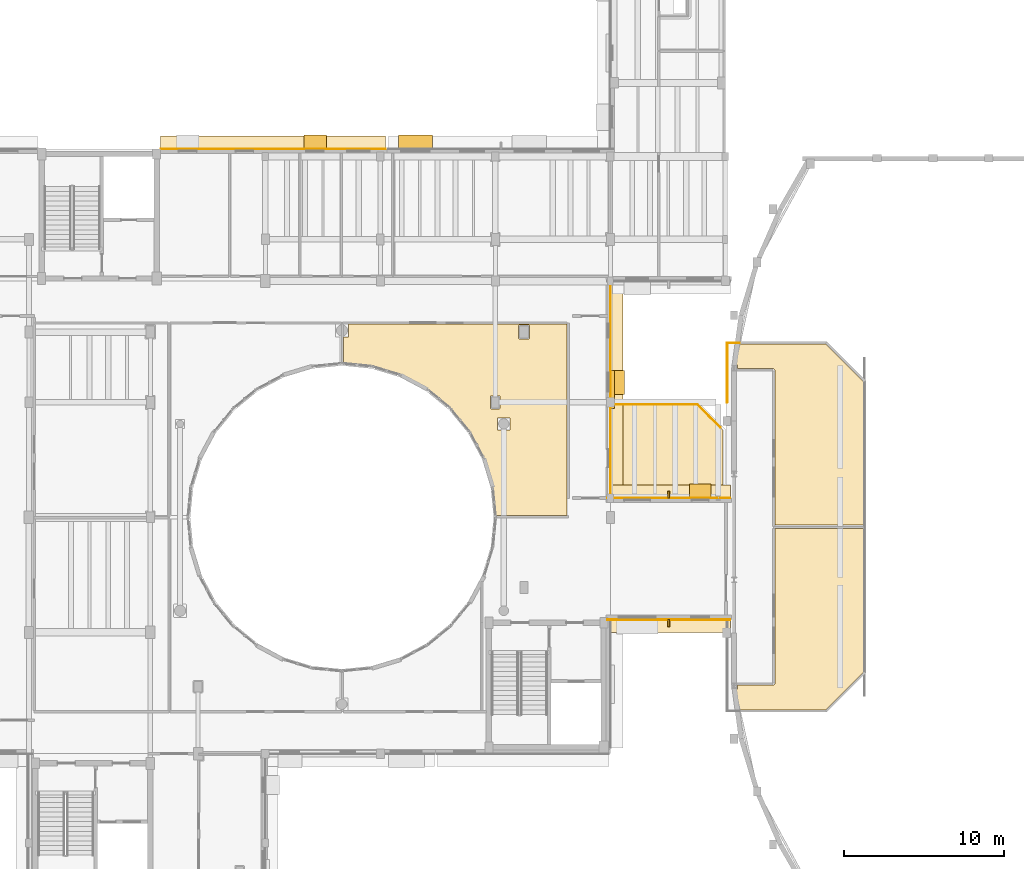
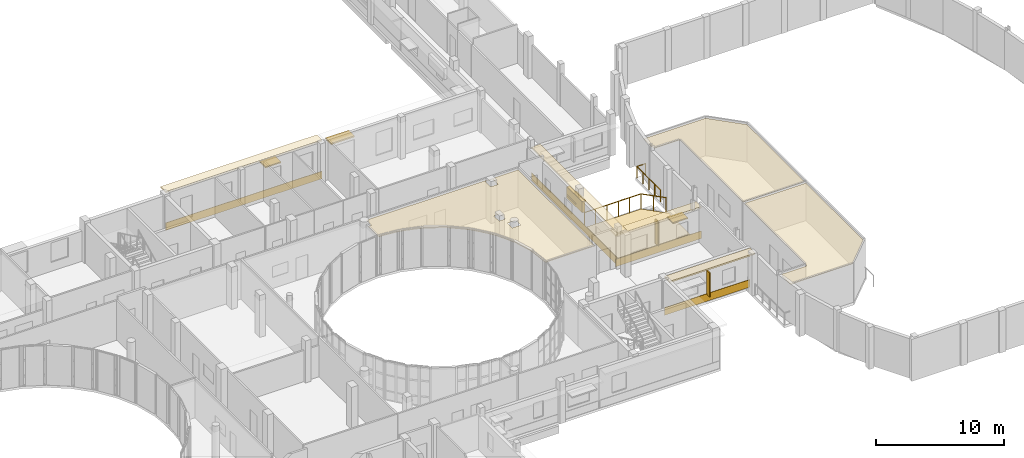
# One storey, part 87 of 92: 12 coverings, 7 shading devices, 2 railings.
"""IFC4 building model written with IfcOpenShell, lengths in metres."""

from ifc_helpers import new_model, si_unit, direction, frame, origin, origin_2d, place, context, subcontext, project, spatial, polyline, rectangle, circle, outline, extrude, material, layer, layer_set, type_object, element, save


model = new_model("IFC4")

# Units and contexts
model_context = context("Model", 3, precision=1e-05, world=origin(), true_north=direction((0.0, 1.0)))
body_context = subcontext(model_context, "Body", "Model", "MODEL_VIEW")
ifc_project = project(units=[si_unit("LENGTHUNIT", "METRE"), si_unit("AREAUNIT", "SQUARE_METRE"), si_unit("VOLUMEUNIT", "CUBIC_METRE"), si_unit("PLANEANGLEUNIT", "RADIAN"), si_unit("MASSUNIT", "GRAM", prefix="KILO")], contexts=[model_context])

# Site, building, storey
site_placement = place(None, origin())
site = spatial("IfcSite", under=ifc_project, at=site_placement, CompositionType="ELEMENT")
building_placement = place(site_placement, origin())
building = spatial("IfcBuilding", under=site, at=building_placement, Name="Kelanivale Promenade Academy", CompositionType="ELEMENT")
storey_placement = place(building_placement, frame((0.0, 0.0, 8.199951171875)))
storey = spatial("IfcBuildingStorey", under=building, at=storey_placement, Name="L02", CompositionType="ELEMENT", Elevation=8.199951171875)

# Coverings
ifc_material_1 = material(Name="Warm ivory Art Deco stucco frieze band 40 mm", Category="masonry")
ifc_layer_1 = layer(ifc_material_1, 0.0400390625)
ifc_layer_set_1 = layer_set([ifc_layer_1], Name="Warm ivory Art Deco stucco frieze band 40 mm")
covering_type_1 = type_object("IfcCoveringType", Name="COV-CLD2 Warm ivory Art Deco stucco frieze ba", PredefinedType="CLADDING", material=ifc_layer_set_1)
covering_1_placement = place(storey_placement, frame((119.260009765625, 50.0, 3.6201171875), z_axis=(0.0, 0.0, 1.0), x_axis=(1.0, 0.0, 0.0)))
element("IfcCovering", 1, at=covering_1_placement, inside=storey, type_object=covering_type_1, Name="Art Deco projecting 820 mm streamline sunshade eyebrow ledge", PredefinedType="CLADDING", context=body_context, shape_type="SweptSolid", body=[
    extrude(rectangle(XDim=7.719970703125, YDim=0.820068359375, at=origin_2d()), origin(), (0.0, 0.0, 1.0), 0.139892578125),
])
covering_2_placement = place(storey_placement, frame((119.260009765625, 50.385009765625, 0.06005859375), z_axis=(0.0, 0.0, 1.0), x_axis=(1.0, 0.0, 0.0)))
element("IfcCovering", 2, at=covering_2_placement, inside=storey, type_object=covering_type_1, Name="Art Deco ivory stucco sill frieze band", PredefinedType="CLADDING", context=body_context, shape_type="SweptSolid", body=[
    extrude(rectangle(XDim=7.719970703125, YDim=0.0400390625, at=origin_2d()), origin(), (0.0, 0.0, 1.0), 0.719970703125),
])
covering_3_placement = place(storey_placement, frame((119.260009765625, 58.39990234375, 2.9501953125), z_axis=(0.0, 0.0, 1.0), x_axis=(-1.0, 0.0, 0.0)))
element("IfcCovering", 3, at=covering_3_placement, inside=storey, type_object=covering_type_1, Name="Art Deco projecting 820 mm streamline sunshade eyebrow ledge", PredefinedType="CLADDING", context=body_context, shape_type="SweptSolid", body=[
    extrude(rectangle(XDim=7.719970703125, YDim=0.820068359375, at=origin_2d()), origin(), (0.0, 0.0, 1.0), 0.139892578125),
])
covering_4_placement = place(storey_placement, frame((119.260009765625, 58.014892578125, 0.06005859375), z_axis=(0.0, 0.0, 1.0), x_axis=(-1.0, 0.0, 0.0)))
element("IfcCovering", 4, at=covering_4_placement, inside=storey, type_object=covering_type_1, Name="Art Deco ivory stucco sill frieze band", PredefinedType="CLADDING", context=body_context, shape_type="SweptSolid", body=[
    extrude(rectangle(XDim=7.719970703125, YDim=0.0400390625, at=origin_2d()), origin(), (0.0, 0.0, 1.0), 0.719970703125),
])
covering_5_placement = place(storey_placement, frame((116.0, 64.800048828125, 3.06494140625), z_axis=(0.0, 0.0, 1.0), x_axis=(0.0, 1.0, 0.0)))
element("IfcCovering", 5, at=covering_5_placement, inside=storey, type_object=covering_type_1, Name="Art Deco projecting 820 mm streamline sunshade eyebrow ledge", PredefinedType="CLADDING", context=body_context, shape_type="SweptSolid", body=[
    extrude(rectangle(XDim=13.43994140625, YDim=0.820068359375, at=origin_2d()), origin(), (0.0, 0.0, 1.0), 0.139892578125),
])
covering_6_placement = place(storey_placement, frame((115.614990234375, 64.800048828125, 0.06005859375), z_axis=(0.0, 0.0, 1.0), x_axis=(0.0, 1.0, 0.0)))
element("IfcCovering", 6, at=covering_6_placement, inside=storey, type_object=covering_type_1, Name="Art Deco ivory stucco sill frieze band", PredefinedType="CLADDING", context=body_context, shape_type="SweptSolid", body=[
    extrude(rectangle(XDim=13.43994140625, YDim=0.0400390625, at=origin_2d()), origin(), (0.0, 0.0, 1.0), 0.719970703125),
])
covering_7_placement = place(storey_placement, frame((94.493896484375, 80.25, 3.6201171875), z_axis=(0.0, 0.0, 1.0), x_axis=(-1.0, 0.0, 0.0)))
element("IfcCovering", 7, at=covering_7_placement, inside=storey, type_object=covering_type_1, Name="Art Deco projecting 820 mm streamline sunshade eyebrow ledge", PredefinedType="CLADDING", context=body_context, shape_type="SweptSolid", body=[
    extrude(rectangle(XDim=14.097900390625, YDim=0.820068359375, at=origin_2d()), origin(), (0.0, 0.0, 1.0), 0.139892578125),
])
covering_8_placement = place(storey_placement, frame((94.493896484375, 79.864990234375, 0.06005859375), z_axis=(0.0, 0.0, 1.0), x_axis=(-1.0, 0.0, 0.0)))
element("IfcCovering", 8, at=covering_8_placement, inside=storey, type_object=covering_type_1, Name="Art Deco ivory stucco sill frieze band", PredefinedType="CLADDING", context=body_context, shape_type="SweptSolid", body=[
    extrude(rectangle(XDim=14.097900390625, YDim=0.0400390625, at=origin_2d()), origin(), (0.0, 0.0, 1.0), 0.719970703125),
])
ifc_material_2 = material(Name="Acoustic mineral-fibre ceiling tile 25 mm", Category="gypsum")
ifc_layer_2 = layer(ifc_material_2, 0.02490234375)
ifc_layer_set_2 = layer_set([ifc_layer_2], Name="Acoustic mineral-fibre ceiling tile 25 mm")
covering_type_2 = type_object("IfcCoveringType", Name="COV-CLG1 Acoustic mineral-fibre ceiling tile ", PredefinedType="CEILING", material=ifc_layer_set_2)
covering_9_placement = place(storey_placement, frame((0.0, 0.0, 3.550048828125)))
element("IfcCovering", 9, at=covering_9_placement, inside=storey, type_object=covering_type_2, Name="Choral Rehearsal Studio acoustic suspended ceiling", PredefinedType="CEILING", context=body_context, shape_type="SweptSolid", body=[
    extrude(outline(polyline([(131.449951171875, 47.112060546875), (131.449951171875, 56.090087890625), (125.909912109375, 56.090087890625), (125.909912109375, 46.424072265625), (125.909912109375, 46.4169921875), (125.908935546875, 46.410888671875), (125.907958984375, 46.405029296875), (125.906005859375, 46.39599609375), (125.903076171875, 46.387939453125), (125.902099609375, 46.385009765625), (125.90087890625, 46.382080078125), (125.89892578125, 46.376953125), (125.89697265625, 46.3720703125), (125.89501953125, 46.365966796875), (125.89208984375, 46.361083984375), (125.888916015625, 46.35595703125), (125.882080078125, 46.346923828125), (125.8779296875, 46.342041015625), (125.873046875, 46.3349609375), (125.868896484375, 46.3310546875), (125.864990234375, 46.326904296875), (125.85791015625, 46.322021484375), (125.85302734375, 46.318115234375), (125.843994140625, 46.31103515625), (125.839111328125, 46.30810546875), (125.833984375, 46.304931640625), (125.827880859375, 46.302978515625), (125.822998046875, 46.301025390625), (125.818115234375, 46.299072265625), (125.81494140625, 46.298095703125), (125.81201171875, 46.297119140625), (125.803955078125, 46.2939453125), (125.794921875, 46.2919921875), (125.7890625, 46.291015625), (125.782958984375, 46.2900390625), (125.77587890625, 46.2900390625), (123.56396484375, 46.2900390625), (123.56396484375, 46.080078125), (123.56396484375, 46.075927734375), (123.56298828125, 46.072021484375), (123.56201171875, 46.068115234375), (123.56103515625, 46.06396484375), (123.55908203125, 46.06103515625), (123.556884765625, 46.05810546875), (123.554931640625, 46.053955078125), (123.552001953125, 46.051025390625), (123.549072265625, 46.049072265625), (123.5458984375, 46.0458984375), (123.54296875, 46.0439453125), (123.5390625, 46.04296875), (123.534912109375, 46.041015625), (123.531982421875, 46.041015625), (123.528076171875, 46.0400390625), (123.52392578125, 46.0400390625), (123.510009765625, 46.0400390625), (123.510009765625, 44.75), (129.087890625, 44.75), (131.449951171875, 47.112060546875)])), origin(), (0.0, 0.0, 1.0), 0.02490234375),
])
covering_10_placement = place(storey_placement, frame((0.0, 0.0, 3.550048828125)))
element("IfcCovering", 10, at=covering_10_placement, inside=storey, type_object=covering_type_2, Name="Audiovisual Projection Studio acoustic suspended ceiling", PredefinedType="CEILING", context=body_context, shape_type="SweptSolid", body=[
    extrude(outline(polyline([(131.449951171875, 65.2880859375), (129.087890625, 67.64990234375), (123.510009765625, 67.64990234375), (123.510009765625, 66.360107421875), (123.52392578125, 66.360107421875), (123.528076171875, 66.360107421875), (123.531982421875, 66.35888671875), (123.534912109375, 66.35888671875), (123.5390625, 66.35693359375), (123.54296875, 66.35595703125), (123.5458984375, 66.35400390625), (123.549072265625, 66.35107421875), (123.552001953125, 66.34912109375), (123.554931640625, 66.345947265625), (123.556884765625, 66.342041015625), (123.55908203125, 66.339111328125), (123.56103515625, 66.3359375), (123.56201171875, 66.33203125), (123.56298828125, 66.327880859375), (123.56396484375, 66.323974609375), (123.56396484375, 66.320068359375), (123.56396484375, 66.110107421875), (125.77587890625, 66.110107421875), (125.782958984375, 66.110107421875), (125.7890625, 66.10888671875), (125.794921875, 66.10791015625), (125.803955078125, 66.10595703125), (125.81201171875, 66.10302734375), (125.81494140625, 66.10205078125), (125.818115234375, 66.10107421875), (125.822998046875, 66.09912109375), (125.827880859375, 66.096923828125), (125.833984375, 66.094970703125), (125.839111328125, 66.092041015625), (125.843994140625, 66.089111328125), (125.85302734375, 66.08203125), (125.85791015625, 66.077880859375), (125.864990234375, 66.072998046875), (125.868896484375, 66.069091796875), (125.873046875, 66.06494140625), (125.8779296875, 66.05810546875), (125.882080078125, 66.052978515625), (125.888916015625, 66.0439453125), (125.89208984375, 66.0390625), (125.89501953125, 66.033935546875), (125.89697265625, 66.028076171875), (125.89892578125, 66.02294921875), (125.90087890625, 66.01806640625), (125.902099609375, 66.014892578125), (125.903076171875, 66.011962890625), (125.906005859375, 66.00390625), (125.907958984375, 65.9951171875), (125.908935546875, 65.989013671875), (125.909912109375, 65.98291015625), (125.909912109375, 65.97607421875), (125.909912109375, 56.31005859375), (131.449951171875, 56.31005859375), (131.449951171875, 65.2880859375)])), origin(), (0.0, 0.0, 1.0), 0.02490234375),
])
covering_11_placement = place(storey_placement, frame((0.0, 0.0, 3.550048828125)))
element("IfcCovering", 11, at=covering_11_placement, inside=storey, type_object=covering_type_2, Name="Mathematics Classroom East B acoustic suspended ceiling", PredefinedType="CEILING", context=body_context, shape_type="SweptSolid", body=[
    extrude(outline(polyline([(100.679931640625, 66.263916015625), (100.680908203125, 66.263916015625), (100.69189453125, 66.261962890625), (100.700927734375, 66.260009765625), (102.47412109375, 65.721923828125), (102.47802734375, 65.719970703125), (102.489013671875, 65.716064453125), (102.498046875, 65.712890625), (102.508056640625, 65.7080078125), (102.510009765625, 65.70703125), (104.14501953125, 64.833984375), (104.14794921875, 64.83203125), (104.157958984375, 64.825927734375), (104.166015625, 64.820068359375), (104.175048828125, 64.81298828125), (104.177001953125, 64.81201171875), (105.610107421875, 63.636962890625), (105.615966796875, 63.632080078125), (105.6240234375, 63.6240234375), (105.632080078125, 63.615966796875), (105.636962890625, 63.610107421875), (106.81201171875, 62.177001953125), (106.81298828125, 62.175048828125), (106.820068359375, 62.166015625), (106.825927734375, 62.157958984375), (106.83203125, 62.14794921875), (106.833984375, 62.14501953125), (107.70703125, 60.510009765625), (107.7080078125, 60.508056640625), (107.712890625, 60.498046875), (107.716064453125, 60.489013671875), (107.719970703125, 60.47802734375), (107.721923828125, 60.47412109375), (108.260009765625, 58.700927734375), (108.261962890625, 58.69189453125), (108.263916015625, 58.680908203125), (108.263916015625, 58.679931640625), (108.26611328125, 58.66796875), (108.26708984375, 58.6630859375), (108.43896484375, 56.909912109375), (112.889892578125, 56.909912109375), (112.889892578125, 68.889892578125), (99.205078125, 68.889892578125), (99.205078125, 68.888916015625), (99.20703125, 68.885009765625), (99.2080078125, 68.882080078125), (99.208984375, 68.8779296875), (99.2099609375, 68.8740234375), (99.2099609375, 68.8701171875), (99.2099609375, 68.1298828125), (99.2099609375, 68.1259765625), (99.208984375, 68.1220703125), (99.2080078125, 68.117919921875), (99.20703125, 68.114990234375), (99.205078125, 68.111083984375), (99.202880859375, 68.10791015625), (99.200927734375, 68.10498046875), (99.197998046875, 68.10205078125), (99.195068359375, 68.09912109375), (99.19189453125, 68.096923828125), (99.18896484375, 68.094970703125), (99.18505859375, 68.093017578125), (99.181884765625, 68.092041015625), (99.177978515625, 68.091064453125), (99.174072265625, 68.090087890625), (99.169921875, 68.090087890625), (98.909912109375, 68.090087890625), (98.909912109375, 66.43896484375), (100.6630859375, 66.26708984375), (100.66796875, 66.26611328125), (100.679931640625, 66.263916015625)]), holes=[polyline([(110.534912109375, 68.0048828125), (110.534912109375, 68.0009765625), (110.533935546875, 67.9970703125), (110.532958984375, 67.992919921875), (110.531982421875, 67.989990234375), (110.530029296875, 67.986083984375), (110.528076171875, 67.98291015625), (110.52587890625, 67.97998046875), (110.52294921875, 67.97705078125), (110.52001953125, 67.97412109375), (110.51708984375, 67.971923828125), (110.513916015625, 67.969970703125), (110.510009765625, 67.968017578125), (110.507080078125, 67.967041015625), (110.5029296875, 67.966064453125), (110.4990234375, 67.965087890625), (110.4951171875, 67.965087890625), (109.905029296875, 67.965087890625), (109.90087890625, 67.965087890625), (109.89697265625, 67.966064453125), (109.89306640625, 67.967041015625), (109.889892578125, 67.968017578125), (109.885986328125, 67.969970703125), (109.883056640625, 67.971923828125), (109.8798828125, 67.97412109375), (109.876953125, 67.97705078125), (109.8740234375, 67.97998046875), (109.8720703125, 67.98291015625), (109.8701171875, 67.986083984375), (109.867919921875, 67.989990234375), (109.866943359375, 67.992919921875), (109.865966796875, 67.9970703125), (109.864990234375, 68.0009765625), (109.864990234375, 68.0048828125), (109.864990234375, 68.794921875), (109.864990234375, 68.799072265625), (109.865966796875, 68.802978515625), (109.866943359375, 68.806884765625), (109.867919921875, 68.81005859375), (109.8701171875, 68.81396484375), (109.8720703125, 68.81689453125), (109.8740234375, 68.820068359375), (109.876953125, 68.822998046875), (109.8798828125, 68.825927734375), (109.883056640625, 68.827880859375), (109.885986328125, 68.830078125), (109.889892578125, 68.83203125), (109.89306640625, 68.8330078125), (109.89697265625, 68.833984375), (109.90087890625, 68.8349609375), (109.905029296875, 68.8349609375), (110.4951171875, 68.8349609375), (110.4990234375, 68.8349609375), (110.5029296875, 68.833984375), (110.507080078125, 68.8330078125), (110.510009765625, 68.83203125), (110.513916015625, 68.830078125), (110.51708984375, 68.827880859375), (110.52001953125, 68.825927734375), (110.52294921875, 68.822998046875), (110.52587890625, 68.820068359375), (110.528076171875, 68.81689453125), (110.530029296875, 68.81396484375), (110.531982421875, 68.81005859375), (110.532958984375, 68.806884765625), (110.533935546875, 68.802978515625), (110.534912109375, 68.799072265625), (110.534912109375, 68.794921875), (110.534912109375, 68.0048828125)]), polyline([(109.277099609375, 63.034912109375), (109.281005859375, 63.034912109375), (109.284912109375, 63.033935546875), (109.2890625, 63.032958984375), (109.2919921875, 63.031982421875), (109.2958984375, 63.030029296875), (109.299072265625, 63.028076171875), (109.302001953125, 63.02587890625), (109.304931640625, 63.02294921875), (109.30810546875, 63.02001953125), (109.31005859375, 63.01708984375), (109.31201171875, 63.013916015625), (109.31396484375, 63.010009765625), (109.31494140625, 63.007080078125), (109.31591796875, 63.0029296875), (109.31689453125, 62.9990234375), (109.31689453125, 62.9951171875), (109.31689453125, 62.304931640625), (109.31689453125, 62.301025390625), (109.31591796875, 62.297119140625), (109.31494140625, 62.29296875), (109.31396484375, 62.2900390625), (109.31201171875, 62.285888671875), (109.31005859375, 62.282958984375), (109.30810546875, 62.280029296875), (109.304931640625, 62.277099609375), (109.302001953125, 62.27392578125), (109.299072265625, 62.27197265625), (109.2958984375, 62.27001953125), (109.2919921875, 62.26806640625), (109.2890625, 62.26708984375), (109.284912109375, 62.26611328125), (109.281005859375, 62.264892578125), (109.277099609375, 62.264892578125), (108.5869140625, 62.264892578125), (108.5830078125, 62.264892578125), (108.5791015625, 62.26611328125), (108.574951171875, 62.26708984375), (108.572021484375, 62.26806640625), (108.568115234375, 62.27001953125), (108.56494140625, 62.27197265625), (108.56201171875, 62.27392578125), (108.55908203125, 62.277099609375), (108.555908203125, 62.280029296875), (108.553955078125, 62.282958984375), (108.552001953125, 62.285888671875), (108.550048828125, 62.2900390625), (108.549072265625, 62.29296875), (108.548095703125, 62.297119140625), (108.547119140625, 62.301025390625), (108.547119140625, 62.304931640625), (108.547119140625, 62.9951171875), (108.547119140625, 62.9990234375), (108.548095703125, 63.0029296875), (108.549072265625, 63.007080078125), (108.550048828125, 63.010009765625), (108.552001953125, 63.013916015625), (108.553955078125, 63.01708984375), (108.555908203125, 63.02001953125), (108.55908203125, 63.02294921875), (108.56201171875, 63.02587890625), (108.56494140625, 63.028076171875), (108.568115234375, 63.030029296875), (108.572021484375, 63.031982421875), (108.574951171875, 63.032958984375), (108.5791015625, 63.033935546875), (108.5830078125, 63.034912109375), (108.5869140625, 63.034912109375), (109.277099609375, 63.034912109375)]), polyline([(108.68505859375, 63.6298828125), (108.68505859375, 63.6259765625), (108.68408203125, 63.6220703125), (108.68310546875, 63.617919921875), (108.681884765625, 63.614990234375), (108.679931640625, 63.611083984375), (108.677978515625, 63.60791015625), (108.676025390625, 63.60498046875), (108.673095703125, 63.60205078125), (108.669921875, 63.59912109375), (108.6669921875, 63.596923828125), (108.6640625, 63.594970703125), (108.659912109375, 63.593017578125), (108.656982421875, 63.592041015625), (108.653076171875, 63.591064453125), (108.64892578125, 63.590087890625), (108.64501953125, 63.590087890625), (108.155029296875, 63.590087890625), (108.15087890625, 63.590087890625), (108.14697265625, 63.591064453125), (108.14306640625, 63.592041015625), (108.139892578125, 63.593017578125), (108.135986328125, 63.594970703125), (108.133056640625, 63.596923828125), (108.1298828125, 63.59912109375), (108.126953125, 63.60205078125), (108.1240234375, 63.60498046875), (108.1220703125, 63.60791015625), (108.1201171875, 63.611083984375), (108.117919921875, 63.614990234375), (108.116943359375, 63.617919921875), (108.115966796875, 63.6220703125), (108.114990234375, 63.6259765625), (108.114990234375, 63.6298828125), (108.114990234375, 64.3701171875), (108.114990234375, 64.3740234375), (108.115966796875, 64.3779296875), (108.116943359375, 64.382080078125), (108.117919921875, 64.385009765625), (108.1201171875, 64.388916015625), (108.1220703125, 64.39208984375), (108.1240234375, 64.39501953125), (108.126953125, 64.39794921875), (108.1298828125, 64.40087890625), (108.133056640625, 64.403076171875), (108.135986328125, 64.405029296875), (108.139892578125, 64.406982421875), (108.14306640625, 64.407958984375), (108.14697265625, 64.408935546875), (108.15087890625, 64.409912109375), (108.155029296875, 64.409912109375), (108.64501953125, 64.409912109375), (108.64892578125, 64.409912109375), (108.653076171875, 64.408935546875), (108.656982421875, 64.407958984375), (108.659912109375, 64.406982421875), (108.6640625, 64.405029296875), (108.6669921875, 64.403076171875), (108.669921875, 64.40087890625), (108.673095703125, 64.39794921875), (108.676025390625, 64.39501953125), (108.677978515625, 64.39208984375), (108.679931640625, 64.388916015625), (108.681884765625, 64.385009765625), (108.68310546875, 64.382080078125), (108.68408203125, 64.3779296875), (108.68505859375, 64.3740234375), (108.68505859375, 64.3701171875), (108.68505859375, 63.6298828125)])]), origin(), (0.0, 0.0, 1.0), 0.02490234375),
])
ifc_material_3 = material(Name="Impact-absorbing EPDM rooftop Play Deck surfacing 40 mm", Category="masonry")
ifc_layer_3 = layer(ifc_material_3, 0.0400390625)
ifc_layer_set_3 = layer_set([ifc_layer_3], Name="Impact-absorbing EPDM rooftop Play Deck surfacing 40 mm")
covering_type_3 = type_object("IfcCoveringType", Name="COV-FLR3 Impact-absorbing EPDM rooftop Play D", PredefinedType="FLOORING", material=ifc_layer_set_3)
covering_12_placement = place(storey_placement, origin())
element("IfcCovering", 12, at=covering_12_placement, inside=storey, type_object=covering_type_3, Name="Assembly Foyer Shoulder Play Deck EPDM safety surfacing", PredefinedType="FLOORING", context=body_context, shape_type="SweptSolid", body=[
    extrude(outline(polyline([(122.659912109375, 58.139892578125), (122.659912109375, 62.261962890625), (121.06201171875, 63.860107421875), (115.739990234375, 63.860107421875), (115.739990234375, 58.139892578125), (122.659912109375, 58.139892578125)])), origin(), (0.0, 0.0, 1.0), 0.0400390625),
])

# Railings
ifc_material_4 = material(Name="Brushed stainless steel grade 316", Category="steel")
railing_type_1 = type_object("IfcRailingType", Name="GR-01 Stair Guard 1100mm", PredefinedType="BALUSTRADE", material=ifc_material_4)
railing_1_placement = place(storey_placement, frame((123.699951171875, 67.719970703125, 0.0)))
element("IfcRailing", 13, at=railing_1_placement, inside=storey, type_object=railing_type_1, Name="Assembly Viewing Gallery north end closure guard", PredefinedType="BALUSTRADE", context=body_context, shape_type="SweptSolid", body=[
    extrude(circle(Radius=0.02392578125, at=origin_2d()), frame((0.0, 0.0, 1.09619140625), z_axis=(-1.0, 0.0, 0.0), x_axis=(0.0, -1.0, 0.0)), (0.0, 0.0, 1.0), 0.780029296875),
    extrude(circle(Radius=0.02392578125, at=origin_2d()), frame((-0.780029296875, 0.0, 1.09619140625), z_axis=(0.0, -1.0, 0.0), x_axis=(1.0, 0.0, 0.0)), (0.0, 0.0, 1.0), 3.719970703125),
    extrude(circle(Radius=0.02099609375, at=origin_2d()), origin(), (0.0, 0.0, 1.0), 1.072021484375),
    extrude(circle(Radius=0.02099609375, at=origin_2d()), frame((-0.780029296875, 0.0, 0.0)), (0.0, 0.0, 1.0), 1.072021484375),
    extrude(circle(Radius=0.02099609375, at=origin_2d()), frame((-0.780029296875, -0.929931640625, 0.0)), (0.0, 0.0, 1.0), 1.072021484375),
    extrude(circle(Radius=0.02099609375, at=origin_2d()), frame((-0.780029296875, -1.85986328125, 0.0)), (0.0, 0.0, 1.0), 1.072021484375),
    extrude(circle(Radius=0.02099609375, at=origin_2d()), frame((-0.780029296875, -2.7900390625, 0.0)), (0.0, 0.0, 1.0), 1.072021484375),
    extrude(circle(Radius=0.02099609375, at=origin_2d()), frame((-0.780029296875, -3.719970703125, 0.0)), (0.0, 0.0, 1.0), 1.072021484375),
])
ifc_material_5 = material(Name="Powder-coated galvanized steel and stainless top rail", Category="steel")
railing_type_2 = type_object("IfcRailingType", Name="GR-02 Play Deck Balustrade 1500mm", PredefinedType="BALUSTRADE", material=ifc_material_5)
railing_2_placement = place(storey_placement, frame((115.949951171875, 63.860107421875, 0.0)))
element("IfcRailing", 14, at=railing_2_placement, inside=storey, type_object=railing_type_2, Name="Assembly Foyer Shoulder Play Deck 1500 mm safety balustrade", PredefinedType="BALUSTRADE", context=body_context, shape_type="SweptSolid", body=[
    extrude(circle(Radius=0.02392578125, at=origin_2d()), frame((0.0, 0.0, 1.47607421875), z_axis=(1.0, 0.0, 0.0), x_axis=(0.0, 1.0, 0.0)), (0.0, 0.0, 1.0), 5.112060546875),
    extrude(circle(Radius=0.02392578125, at=origin_2d()), frame((5.112060546875, 0.0, 1.47607421875), z_axis=(0.707106781187, -0.707106781187, 0.0), x_axis=(0.707106781187, 0.707106781187, 0.0)), (0.0, 0.0, 1.0), 2.03369140625),
    extrude(circle(Radius=0.02099609375, at=origin_2d()), origin(), (0.0, 0.0, 1.0), 1.451904296875),
    extrude(circle(Radius=0.02099609375, at=origin_2d()), frame((1.0224609375, 0.0, 0.0)), (0.0, 0.0, 1.0), 1.451904296875),
    extrude(circle(Radius=0.02099609375, at=origin_2d()), frame((2.044921875, 0.0, 0.0)), (0.0, 0.0, 1.0), 1.451904296875),
    extrude(circle(Radius=0.02099609375, at=origin_2d()), frame((3.067138671875, 0.0, 0.0)), (0.0, 0.0, 1.0), 1.451904296875),
    extrude(circle(Radius=0.02099609375, at=origin_2d()), frame((4.089599609375, 0.0, 0.0)), (0.0, 0.0, 1.0), 1.451904296875),
    extrude(circle(Radius=0.02099609375, at=origin_2d()), frame((5.112060546875, 0.0, 0.0)), (0.0, 0.0, 1.0), 1.451904296875),
    extrude(circle(Radius=0.02099609375, at=origin_2d()), frame((5.8310546875, -0.718994140625, 0.0)), (0.0, 0.0, 1.0), 1.451904296875),
    extrude(circle(Radius=0.02099609375, at=origin_2d()), frame((6.550048828125, -1.43798828125, 0.0)), (0.0, 0.0, 1.0), 1.451904296875),
])

# Shading devices
ifc_material_6 = material(Name="Precast concrete C40/50", Category="concrete")
ifc_layer_4 = layer(ifc_material_6, 0.1201171875)
ifc_layer_set_4 = layer_set([ifc_layer_4], Name="Precast concrete C40/50")
shading_device_type_1 = type_object("IfcShadingDeviceType", Name="SHD-01 Art Deco Sunshade Eyebrow 900mm", PredefinedType="USERDEFINED", material=ifc_layer_set_4)
shading_device_1_placement = place(storey_placement, frame((121.22998046875, 58.43994140625, 2.360107421875), z_axis=(0.0, 0.0, 1.0), x_axis=(-1.0, 0.0, 0.0)))
element("IfcShadingDevice", 15, at=shading_device_1_placement, inside=storey, type_object=shading_device_type_1, Name="Art Deco 900 mm precast chajja window sunshade", ObjectType="SUNSHADE", PredefinedType="USERDEFINED", context=body_context, shape_type="SweptSolid", body=[
    extrude(rectangle(XDim=1.35009765625, YDim=0.89990234375, at=origin_2d()), origin(), (0.0, 0.0, 1.0), 0.1201171875),
])
shading_device_2_placement = place(storey_placement, frame((116.0400390625, 65.25, 1.9599609375), z_axis=(0.0, 0.0, 1.0), x_axis=(0.0, 1.0, 0.0)))
element("IfcShadingDevice", 16, at=shading_device_2_placement, inside=storey, type_object=shading_device_type_1, Name="Art Deco 900 mm precast chajja window sunshade", ObjectType="SUNSHADE", PredefinedType="USERDEFINED", context=body_context, shape_type="SweptSolid", body=[
    extrude(rectangle(XDim=1.5, YDim=0.89990234375, at=origin_2d()), origin(), (0.0, 0.0, 1.0), 0.1201171875),
])
shading_device_3_placement = place(storey_placement, frame((103.405029296875, 80.2900390625, 3.010009765625), z_axis=(0.0, 0.0, 1.0), x_axis=(-1.0, 0.0, 0.0)))
element("IfcShadingDevice", 17, at=shading_device_3_placement, inside=storey, type_object=shading_device_type_1, Name="Art Deco 900 mm precast chajja window sunshade", ObjectType="SUNSHADE", PredefinedType="USERDEFINED", context=body_context, shape_type="SweptSolid", body=[
    extrude(rectangle(XDim=2.10009765625, YDim=0.89990234375, at=origin_2d()), origin(), (0.0, 0.0, 1.0), 0.1201171875),
])
shading_device_4_placement = place(storey_placement, frame((97.1259765625, 80.2900390625, 2.860107421875), z_axis=(0.0, 0.0, 1.0), x_axis=(-1.0, 0.0, 0.0)))
element("IfcShadingDevice", 18, at=shading_device_4_placement, inside=storey, type_object=shading_device_type_1, Name="Art Deco 900 mm precast chajja window sunshade", ObjectType="SUNSHADE", PredefinedType="USERDEFINED", context=body_context, shape_type="SweptSolid", body=[
    extrude(rectangle(XDim=1.39990234375, YDim=0.89990234375, at=origin_2d()), origin(), (0.0, 0.0, 1.0), 0.1201171875),
])
ifc_material_7 = material(Name="Bronze anodised aluminium EN AW-6063 T6", Category="aluminium")
ifc_layer_5 = layer(ifc_material_7, 0.080078125)
ifc_layer_set_5 = layer_set([ifc_layer_5], Name="Bronze anodised aluminium EN AW-6063 T6")
shading_device_type_2 = type_object("IfcShadingDeviceType", Name="SHD-02 Perforated Brise-Soleil Screen", PredefinedType="JALOUSIE", material=ifc_layer_set_5)
shading_device_5_placement = place(storey_placement, frame((115.735107421875, 64.800048828125, 1.72509765625), z_axis=(0.0, 0.0, 1.0), x_axis=(0.0, 1.0, 0.0)))
element("IfcShadingDevice", 19, at=shading_device_5_placement, inside=storey, type_object=shading_device_type_2, Name="Perforated Art Deco brise-soleil louvre screen", PredefinedType="JALOUSIE", context=body_context, shape_type="SweptSolid", body=[
    extrude(rectangle(XDim=2.39990234375, YDim=0.280029296875, at=origin_2d()), origin(), (0.0, 0.0, 1.0), 1.050048828125),
])
ifc_layer_6 = layer(ifc_material_7, 0.10009765625)
ifc_layer_set_6 = layer_set([ifc_layer_6], Name="Bronze anodised aluminium EN AW-6063 T6")
shading_device_type_3 = type_object("IfcShadingDeviceType", Name="SHD-03 Vertical Fluted Solar Fin", PredefinedType="USERDEFINED", material=ifc_layer_set_6)
for number, where, z_axis, x_axis, name in (
    (20, (119.260009765625, 50.179931640625, 0.7001953125), (0.0, 0.0, 1.0), (1.0, 0.0, 0.0), "Vertical fluted Art Deco solar fin"),
    (21, (119.260009765625, 58.219970703125, 0.7001953125), (0.0, 0.0, 1.0), (-1.0, 0.0, 0.0), "Vertical fluted Art Deco solar fin"),
):
    element("IfcShadingDevice", number, at=place(storey_placement, frame(where, z_axis=z_axis, x_axis=x_axis)), inside=storey, type_object=shading_device_type_3, Name=name, ObjectType="SOLAR FIN", PredefinedType="USERDEFINED", context=body_context, shape_type="SweptSolid", body=[
        extrude(rectangle(XDim=0.10009765625, YDim=0.449951171875, at=origin_2d()), origin(), (0.0, 0.0, 1.0), 2.300048828125),
    ])

save(model, "model.ifc")
